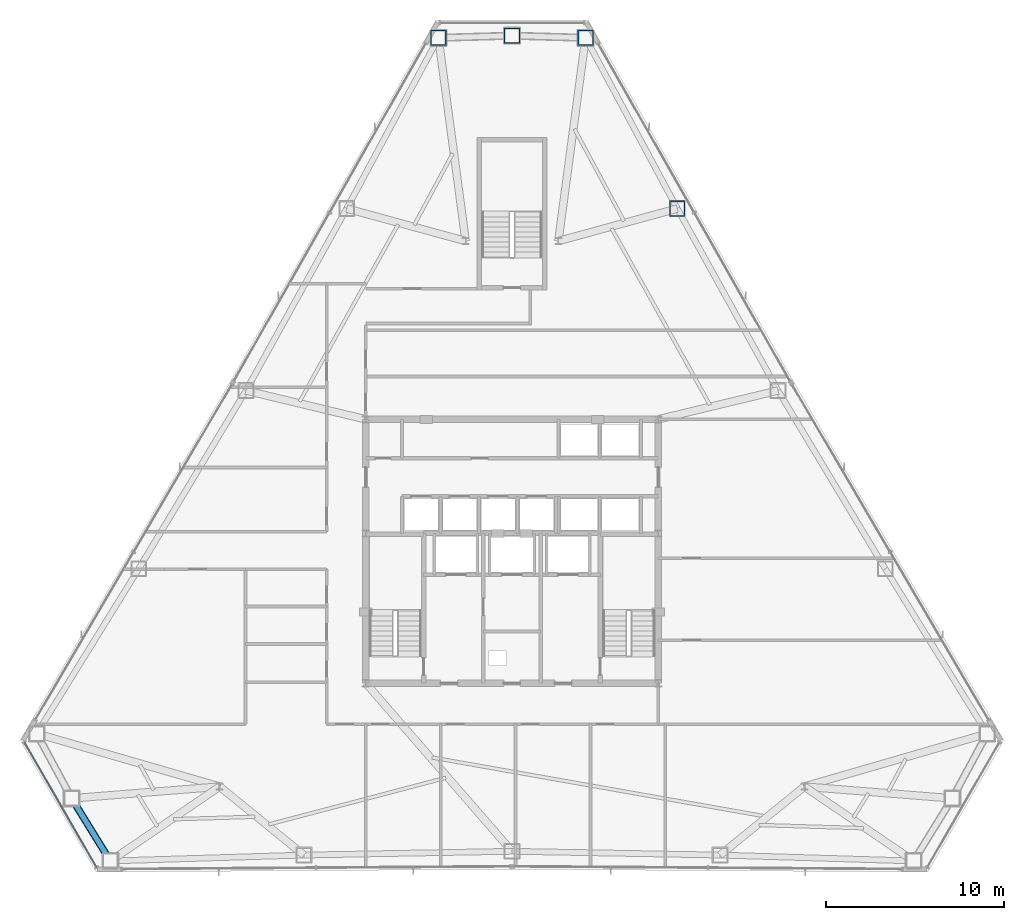
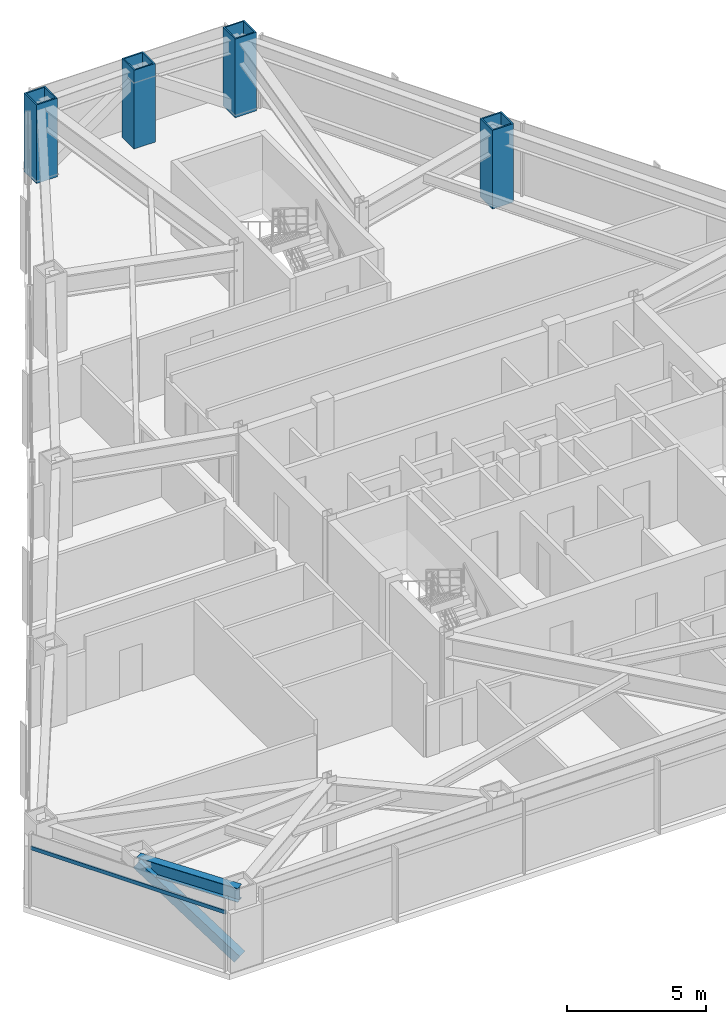
# One storey, part 3 of 13: 4 columns, 2 members, 1 beam, 1 element without a shape of its own.
"""IFC4 building model written with IfcOpenShell, lengths in metres."""

from ifc_helpers import new_model, si_unit, direction, frame, origin, origin_2d, place, context, subcontext, project, spatial, rectangle, hollow_rectangle, i_section, extrude, source, transform, mapped, material, layer, layer_set, material_profile, profile_set, type_object, type_shapes, element, aggregate, save


model = new_model("IFC4")

# Units and contexts
model_context = context("Model", 3, precision=1e-05, world=origin(), true_north=direction((0.0, 1.0)))
body_context = subcontext(model_context, "Body", "Model", "MODEL_VIEW")
ifc_project = project(units=[si_unit("LENGTHUNIT", "METRE"), si_unit("AREAUNIT", "SQUARE_METRE"), si_unit("VOLUMEUNIT", "CUBIC_METRE"), si_unit("PLANEANGLEUNIT", "RADIAN"), si_unit("MASSUNIT", "GRAM", prefix="KILO")], contexts=[model_context])

# Site, building, storey
site_placement = place(None, origin())
site = spatial("IfcSite", under=ifc_project, at=site_placement, CompositionType="ELEMENT")
building_placement = place(site_placement, origin())
building = spatial("IfcBuilding", under=site, at=building_placement, Name="Varakhsha Concourse Tower", CompositionType="ELEMENT")
storey_placement = place(building_placement, frame((0.0, 0.0, 133.25)))
storey = spatial("IfcBuildingStorey", under=building, at=storey_placement, Name="L38", CompositionType="ELEMENT", Elevation=133.25)

# Columns
ifc_material_1 = material(Name="Structural Steel ASTM A572 Grade 50", Category="steel")
ifc_material_profile_1 = material_profile(ifc_material_1, hollow_rectangle(XDim=0.8798828125, YDim=0.8798828125, WallThickness=0.06005859375, at=origin_2d()), Name="BOX 880x880x60")
ifc_profile_set_1 = profile_set([ifc_material_profile_1], Name="Structural Steel ASTM A572 Grade 50")
column_type = type_object("IfcColumnType", Name="CL-TUBE-880", PredefinedType="COLUMN", material=ifc_profile_set_1)
for number, where, z_axis, x_axis, name in (
    (1, (44.1259765625, 52.60009765625, 0.0), (0.0, 0.0, 1.0), (1.0, 0.0, 0.0), "L38 Framed-Tube Column TC01"),
    (2, (40.0, 52.7216796875, 0.0), (0.0, 0.0, 1.0), (1.0, 0.0, 0.0), "L38 Framed-Tube Column TC02"),
    (3, (35.8740234375, 52.60009765625, 0.0), (0.0, 0.0, 1.0), (1.0, 0.0, 0.0), "L38 Framed-Tube Column TC03"),
    (4, (49.26953125, 43.0263671875, 0.0), (0.0, 0.0, 1.0), (1.0, 0.0, 0.0), "L38 Framed-Tube Column TC18"),
):
    element("IfcColumn", number, at=place(storey_placement, frame(where, z_axis=z_axis, x_axis=x_axis)), inside=storey, type_object=column_type, Name=name, PredefinedType="COLUMN", context=body_context, shape_type="SweptSolid", body=[
        extrude(hollow_rectangle(XDim=0.8798828125, YDim=0.8798828125, WallThickness=0.06005859375, at=origin_2d()), origin(), (0.0, 0.0, 1.0), 3.449951171875),
    ])

# Beam
ifc_material_2 = material(Name="Structural Steel ASTM A992 Grade 50", Category="steel")
ifc_material_profile_2 = material_profile(ifc_material_2, i_section(OverallWidth=0.323974609375, OverallDepth=0.611083984375, WebThickness=0.012939453125, FlangeThickness=0.01904296875, at=origin_2d()), Name="W24X104")
ifc_profile_set_2 = profile_set([ifc_material_profile_2], Name="Structural Steel ASTM A992 Grade 50")
beam_type = type_object("IfcBeamType", Name="BM-SPAN-W24X104", PredefinedType="SPANDREL", material=ifc_profile_set_2)
beam_placement = place(storey_placement, frame((15.299560546875, 9.939208984375, 2.904541015625), z_axis=(0.525275019808, -0.850932519984, 0.0), x_axis=(0.850932519984, 0.525275019808, 0.0)))
element("IfcBeam", 5, at=beam_placement, inside=storey, type_object=beam_type, Name="BM-SPAN-L38-08", PredefinedType="SPANDREL", context=body_context, shape_type="SweptSolid", body=[
    extrude(i_section(OverallWidth=0.323974609375, OverallDepth=0.611083984375, WebThickness=0.012939453125, FlangeThickness=0.01904296875, at=origin_2d()), origin(), (0.0, 0.0, 1.0), 4.127685546875),
])

# Member
ifc_material_3 = material(Name="Structural Steel ASTM A500 Grade C", Category="steel")
ifc_material_profile_3 = material_profile(ifc_material_3, hollow_rectangle(XDim=0.39990234375, YDim=0.39990234375, WallThickness=0.01611328125, at=origin_2d()), Name="HSS 400x400x16")
ifc_profile_set_3 = profile_set([ifc_material_profile_3], Name="Structural Steel ASTM A500 Grade C")
member_type_1 = type_object("IfcMemberType", Name="MB-TUBE-HSS400", PredefinedType="BRACE", material=ifc_profile_set_3)
shared_shape_1 = source(origin(), body_context, "Body", "SweptSolid", [
    extrude(hollow_rectangle(XDim=0.39990234375, YDim=0.39990234375, WallThickness=0.01611328125, at=origin_2d()), origin(), (0.0, 0.0, 1.0), 4.982177734375),
])
type_shapes(member_type_1, [shared_shape_1])
member_1_placement = place(storey_placement, frame((17.4677734375, 6.4267578125, 0.1201171875), z_axis=(-0.435199757555, 0.705012826477, 0.559962575113), x_axis=(-0.850932519984, -0.525275019808, 0.0)))
element("IfcMember", 6, at=member_1_placement, inside=storey, type_object=member_type_1, Name="L38 Wind-Corner Tube Brace B04", PredefinedType="BRACE", context=body_context, shape_type="MappedRepresentation", body=[
    mapped(shared_shape_1, transform((0.0, 0.0, 0.0), scale=1.0)),
])

# Curtain wall, member
ifc_material_4 = material(Name="Anodised Bronze Architectural Aluminium AA 6063-T6", Category="aluminium")
ifc_layer = layer(ifc_material_4, 0.2099609375, Name="CW-SYS-04")
ifc_layer_set = layer_set([ifc_layer], Name="Anodised Bronze Architectural Aluminium AA 6063-T6")
curtain_wall_type = type_object("IfcCurtainWallType", Name="CW-SYS-04", PredefinedType="NOTDEFINED", material=ifc_layer_set)
curtain_wall_placement = place(storey_placement, origin())
curtain_wall = element("IfcCurtainWall", 7, at=curtain_wall_placement, inside=storey, type_object=curtain_wall_type, Name="L38 Chamfer Curtain Wall F4", PredefinedType="NOTDEFINED")
ifc_material_profile_4 = material_profile(ifc_material_4, rectangle(XDim=0.06494140625, YDim=0.159912109375, at=origin_2d()), Name="CWT-160X65")
ifc_profile_set_4 = profile_set([ifc_material_profile_4], Name="Anodised Bronze Architectural Aluminium AA 6063-T6")
member_type_2 = type_object("IfcMemberType", Name="CWT-160X65", PredefinedType="USERDEFINED", material=ifc_profile_set_4)
shared_shape_2 = source(origin(), body_context, "Body", "SweptSolid", [
    extrude(rectangle(XDim=0.06494140625, YDim=0.159912109375, at=origin_2d()), origin(), (0.0, 0.0, 1.0), 8.10302734375),
])
type_shapes(member_type_2, [shared_shape_2])
member_2_placement = place(storey_placement, frame((16.701904296875, 6.070556640625, 2.56005859375), z_axis=(-0.500004998822, 0.866022517694, 0.0), x_axis=(-0.866022517694, -0.500004998822, 0.0)))
member_2 = element("IfcMember", 8, at=member_2_placement, type_object=member_type_2, Name="CW-L38-F4 Transom 01", ObjectType="TRANSOM", PredefinedType="USERDEFINED", context=body_context, shape_type="MappedRepresentation", body=[
    mapped(shared_shape_2, transform((0.0, 0.0, 0.0), scale=1.0)),
])
aggregate(curtain_wall, [member_2])

save(model, "model.ifc")
